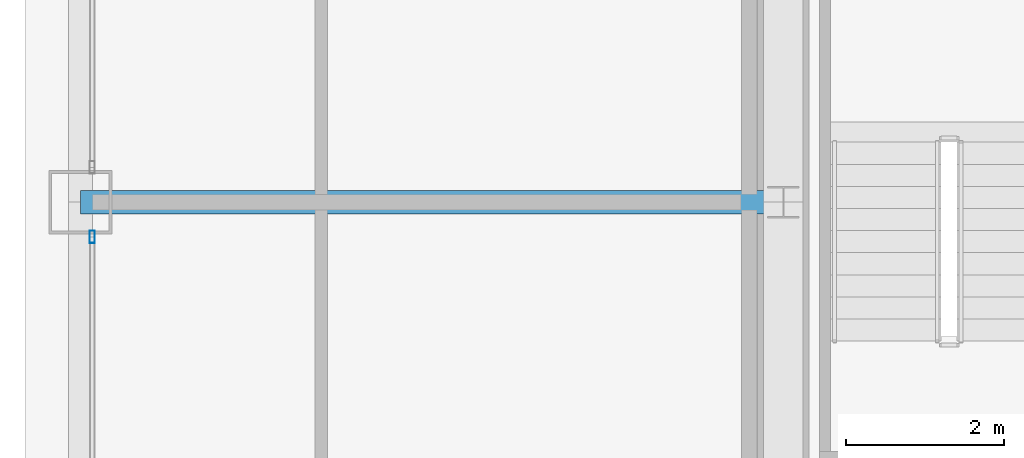
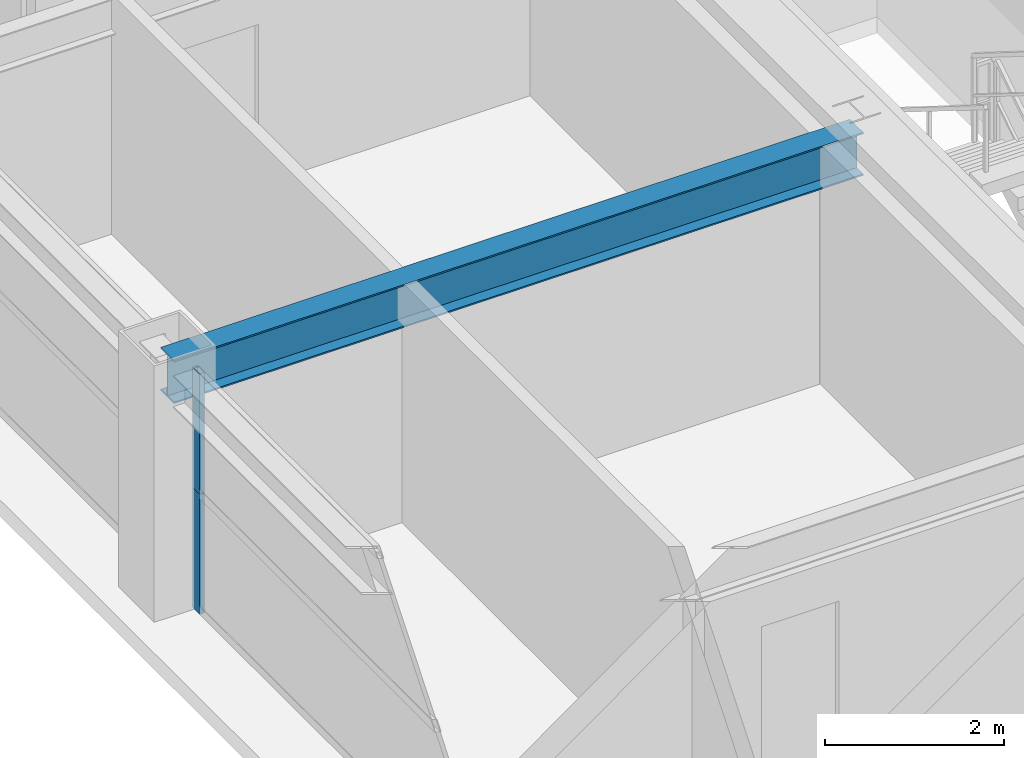
# One storey, part 16 of 45: 2 members, 1 beam, 1 element without a shape of its own.
"""IFC4 building model written with IfcOpenShell, lengths in metres."""

from ifc_helpers import new_model, si_unit, direction, frame, origin, origin_2d, place, context, subcontext, project, spatial, hollow_rectangle, i_section, extrude, source, transform, mapped, material, layer, layer_set, material_profile, profile_set, type_object, element, aggregate, save


model = new_model("IFC4")

# Units and contexts
model_context = context("Model", 3, precision=1e-05, world=origin(), true_north=direction((0.0, 1.0)))
body_context = subcontext(model_context, "Body", "Model", "MODEL_VIEW")
ifc_project = project(units=[si_unit("LENGTHUNIT", "METRE"), si_unit("AREAUNIT", "SQUARE_METRE"), si_unit("VOLUMEUNIT", "CUBIC_METRE"), si_unit("PLANEANGLEUNIT", "RADIAN"), si_unit("MASSUNIT", "GRAM", prefix="KILO"), si_unit("THERMODYNAMICTEMPERATUREUNIT", "KELVIN"), si_unit("POWERUNIT", "WATT")], contexts=[model_context])

# Site, building, storey
site_placement = place(None, origin())
site = spatial("IfcSite", under=ifc_project, at=site_placement, CompositionType="ELEMENT")
building_placement = place(site_placement, origin())
building = spatial("IfcBuilding", under=site, at=building_placement, Name="Yuzanri Waterfront Tower", CompositionType="ELEMENT")
storey_placement = place(building_placement, frame((0.0, 0.0, 191.5)))
storey = spatial("IfcBuildingStorey", under=building, at=storey_placement, Name="L50", CompositionType="ELEMENT", Elevation=191.5)

# Beam
ifc_material_1 = material(Name="Steel Q355B", Category="steel")
ifc_material_profile_1 = material_profile(ifc_material_1, i_section(OverallWidth=0.300048828125, OverallDepth=0.587890625, WebThickness=0.011962890625, FlangeThickness=0.02001953125, at=origin_2d()), Name="HM 588x300x12x20")
ifc_profile_set_1 = profile_set([ifc_material_profile_1], Name="Steel Q355B")
beam_type = type_object("IfcBeamType", Name="Primary Floor Girder Q355B HM 588x300", PredefinedType="BEAM", material=ifc_profile_set_1)
shared_shape_1 = source(origin(), body_context, "Body", "SweptSolid", [
    extrude(i_section(OverallWidth=0.300048828125, OverallDepth=0.587890625, WebThickness=0.011962890625, FlangeThickness=0.02001953125, at=origin_2d()), origin(), (0.0, 0.0, 1.0), 8.900146484375),
])
beam_placement = place(storey_placement, frame((23.800048828125, 25.800048828125, 2.986083984375), z_axis=(-1.0, 0.0, 0.0), x_axis=(0.0, -1.0, 0.0)))
element("IfcBeam", 1, at=beam_placement, inside=storey, type_object=beam_type, Name="L50 West Grid Girder", PredefinedType="BEAM", context=body_context, shape_type="MappedRepresentation", body=[
    mapped(shared_shape_1, transform((0.0, 0.0, 0.0), scale=1.0)),
])

# Curtain wall, members
ifc_material_2 = material(Name="Anodized Architectural Bronze", Category="metal")
ifc_layer = layer(ifc_material_2, 0.159912109375)
ifc_layer_set = layer_set([ifc_layer], Name="Anodized Architectural Bronze")
curtain_wall_type = type_object("IfcCurtainWallType", Name="Anodized Bronze Mid-Rise Residential Acoustic Unitized Curtain Wall 7200", PredefinedType="NOTDEFINED", material=ifc_layer_set)
curtain_wall_placement = place(storey_placement, origin())
curtain_wall = element("IfcCurtainWall", 2, at=curtain_wall_placement, inside=storey, type_object=curtain_wall_type, Name="L50 Curtain Wall CW-L50-WL", PredefinedType="NOTDEFINED")
ifc_material_3 = material(Name="Anodized Architectural Bronze", Category="metal")
ifc_material_profile_2 = material_profile(ifc_material_3, hollow_rectangle(XDim=0.06494140625, YDim=0.159912109375, WallThickness=0.00341796875, at=origin_2d()), Name="CWM 65x160")
ifc_profile_set_2 = profile_set([ifc_material_profile_2], Name="Anodized Architectural Bronze")
member_type = type_object("IfcMemberType", Name="Anodized Bronze Upper-Zone Curtain-Wall Mullion 65x160", PredefinedType="MULLION", material=ifc_profile_set_2)
shared_shape_2 = source(origin(), body_context, "Body", "SweptSolid", [
    extrude(hollow_rectangle(XDim=0.06494140625, YDim=0.159912109375, WallThickness=0.00341796875, at=origin_2d()), origin(), (0.0, 0.0, 1.0), 1.637939453125),
])
member_1_placement = place(storey_placement, frame((15.050048828125, 25.360107421875, 0.0), z_axis=(0.0, 0.0, 1.0), x_axis=(1.0, 0.0, 0.0)))
member_1 = element("IfcMember", 3, at=member_1_placement, type_object=member_type, Name="CW-L50-WL Lower Mullion 02", PredefinedType="MULLION", context=body_context, shape_type="MappedRepresentation", body=[
    mapped(shared_shape_2, transform((0.0, 0.0, 0.0), scale=1.0)),
])
member_2_placement = place(storey_placement, frame((15.050048828125, 25.360107421875, 1.64208984375), z_axis=(0.0, 0.0, 1.0), x_axis=(1.0, 0.0, 0.0)))
member_2 = element("IfcMember", 4, at=member_2_placement, type_object=member_type, Name="CW-L50-WL Upper Mullion 02", PredefinedType="MULLION", context=body_context, shape_type="MappedRepresentation", body=[
    mapped(shared_shape_2, transform((0.0, 0.0, 0.0), scale=1.0)),
])
aggregate(curtain_wall, [member_1, member_2])

save(model, "model.ifc")
